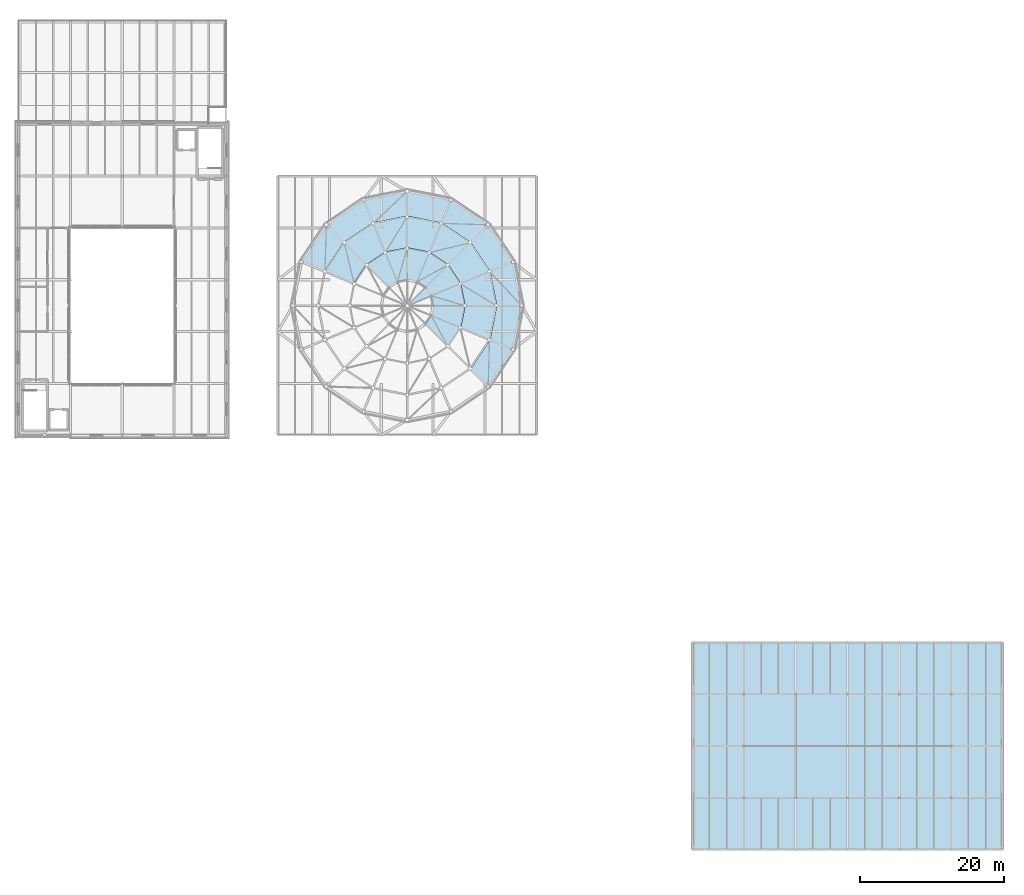
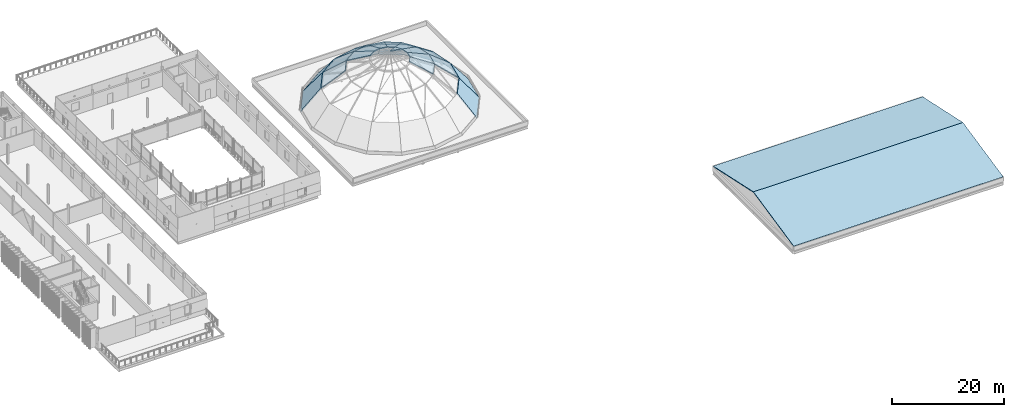
# One storey, part 50 of 66: 28 roofs.
"""IFC4 building model written with IfcOpenShell, lengths in metres."""

from ifc_helpers import new_model, si_unit, direction, frame, origin, place, context, subcontext, project, spatial, polyline, outline, extrude, material, layer, layer_set, type_object, element, save


model = new_model("IFC4")

# Units and contexts
model_context = context("Model", 3, precision=1e-05, world=origin(), true_north=direction((0.0, 1.0)))
body_context = subcontext(model_context, "Body", "Model", "MODEL_VIEW")
ifc_project = project(units=[si_unit("LENGTHUNIT", "METRE"), si_unit("AREAUNIT", "SQUARE_METRE"), si_unit("VOLUMEUNIT", "CUBIC_METRE"), si_unit("PLANEANGLEUNIT", "RADIAN"), si_unit("MASSUNIT", "GRAM", prefix="KILO")], contexts=[model_context])

# Site, building, storey
site_placement = place(None, origin())
site = spatial("IfcSite", under=ifc_project, at=site_placement, CompositionType="ELEMENT")
building_placement = place(site_placement, origin())
building = spatial("IfcBuilding", under=site, at=building_placement, Name="Narikvali Park Central Library", CompositionType="ELEMENT")
storey_placement = place(building_placement, frame((0.0, 0.0, 18.60009765625)))
storey = spatial("IfcBuildingStorey", under=building, at=storey_placement, Name="L04", CompositionType="ELEMENT", Elevation=18.60009765625)

# Roofs
ifc_material = material(Name="Standing-seam zinc over Steel S355 deck", Category="steel")
ifc_layer_1 = layer(ifc_material, 0.179931640625, Name="Standing-seam zinc over Steel S355 deck")
ifc_layer_set_1 = layer_set([ifc_layer_1], Name="Standing-seam zinc over Steel S355 deck")
roof_type_1 = type_object("IfcRoofType", Name="Standing Seam Zinc Dome Sector Roof 180", PredefinedType="DOME_ROOF", material=ifc_layer_set_1)
roof_1_placement = place(storey_placement, frame((98.919921875, 75.60009765625, -0.18017578125), z_axis=(0.780669472436, 0.155290436165, 0.605342923674), x_axis=(-0.195095738793, 0.980784202922, -1.848832e-06)))
element("IfcRoof", 1, at=roof_1_placement, inside=storey, type_object=roof_type_1, Name="Main Reading Room Dome Roof Sector T1-01", PredefinedType="DOME_ROOF", context=body_context, shape_type="SweptSolid", body=[
    extrude(outline(polyline([(0.0, 0.0), (6.289557040626091, 2.220446049250313e-16), (5.575514381115633, 5.92988669685124), (0.7140245304618272, 5.929860795688027), (0.0, 0.0)])), origin(), (0.0, 0.0, -1.0), 0.179931640625),
])
roof_2_placement = place(storey_placement, frame((97.69287109375, 81.768798828125, -0.18017578125), z_axis=(0.661828920917, 0.442206764191, 0.605339290928), x_axis=(-0.555562441799, 0.831474818157, 5.786036e-06)))
element("IfcRoof", 2, at=roof_2_placement, inside=storey, type_object=roof_type_1, Name="Main Reading Room Dome Roof Sector T1-02", PredefinedType="DOME_ROOF", context=body_context, shape_type="SweptSolid", body=[
    extrude(outline(polyline([(0.0, 0.0), (6.289742995411505, -2.220446049250313e-16), (5.57573925323401, 5.929812633197297), (0.7139845333457434, 5.929893695505155), (0.0, 0.0)])), origin(), (0.0, 0.0, -1.0), 0.179931640625),
])
roof_3_placement = place(storey_placement, frame((94.198486328125, 86.99853515625, -0.18017578125), z_axis=(0.442211752531, 0.661818960341, 0.605346536833), x_axis=(-0.831466146439, 0.55557541992, -1.0316431e-05)))
element("IfcRoof", 3, at=roof_3_placement, inside=storey, type_object=roof_type_1, Name="Main Reading Room Dome Roof Sector T1-03", PredefinedType="DOME_ROOF", context=body_context, shape_type="SweptSolid", body=[
    extrude(outline(polyline([(0.0, 0.0), (6.289540000498164, 0.0), (5.575681049037629, 5.929966484449332), (0.7139263314317759, 5.929821952983351), (0.0, 0.0)])), origin(), (0.0, 0.0, -1.0), 0.179931640625),
])
roof_4_placement = place(storey_placement, frame((88.968994140625, 90.492919921875, -0.18017578125), z_axis=(0.155286724123, 0.780668237823, 0.605345468113), x_axis=(-0.980785272241, 0.19509036302, 3.439489e-06)))
element("IfcRoof", 4, at=roof_4_placement, inside=storey, type_object=roof_type_1, Name="Main Reading Room Dome Roof Sector T1-04", PredefinedType="DOME_ROOF", context=body_context, shape_type="SweptSolid", body=[
    extrude(outline(polyline([(0.0, 0.0), (6.289796490118323, 1.1102230246251565e-16), (5.5757991423673685, 5.929864068664262), (0.7143092919767804, 5.9299122552429315), (0.0, 0.0)])), origin(), (0.0, 0.0, -1.0), 0.179931640625),
])
roof_5_placement = place(storey_placement, frame((82.800048828125, 91.719970703125, -0.18017578125), z_axis=(-0.155283767267, 0.780670798988, 0.605342923665), x_axis=(-0.980785800161, -0.195087708993, -1.381496e-06)))
element("IfcRoof", 5, at=roof_5_placement, inside=storey, type_object=roof_type_1, Name="Main Reading Room Dome Roof Sector T1-05", PredefinedType="DOME_ROOF", context=body_context, shape_type="SweptSolid", body=[
    extrude(outline(polyline([(0.0, 0.0), (6.2897964902034715, -1.1102230246251565e-16), (5.575726647810825, 5.929883423596316), (0.7139973479115861, 5.929864068735238), (0.0, 0.0)])), origin(), (0.0, 0.0, -1.0), 0.179931640625),
])
roof_6_placement = place(storey_placement, frame((76.631103515625, 90.492919921875, -0.18017578125), z_axis=(-0.442211752531, 0.661818960341, 0.605346536833), x_axis=(-0.831470536919, -0.555568849232, -7.4523e-08)))
element("IfcRoof", 6, at=roof_6_placement, inside=storey, type_object=roof_type_1, Name="Main Reading Room Dome Roof Sector T1-06", PredefinedType="DOME_ROOF", context=body_context, shape_type="SweptSolid", body=[
    extrude(outline(polyline([(0.0, 0.0), (6.289742995698779, 0.0), (5.575536257229505, 5.929894739797871), (0.71398453388768, 5.92989369574461), (0.0, 0.0)])), origin(), (0.0, 0.0, -1.0), 0.179931640625),
])
roof_7_placement = place(storey_placement, frame((71.4013671875, 86.99853515625, -0.18017578125), z_axis=(-0.661815206105, 0.442197600519, 0.605360979138), x_axis=(-0.555562442061, -0.831474817982, -5.786123e-06)))
element("IfcRoof", 7, at=roof_7_placement, inside=storey, type_object=roof_type_1, Name="Main Reading Room Dome Roof Sector T1-07", PredefinedType="DOME_ROOF", context=body_context, shape_type="SweptSolid", body=[
    extrude(outline(polyline([(0.0, 0.0), (6.289742995411517, 6.661338147750939e-16), (5.575622825159554, 5.930016580461905), (0.7138681052713204, 5.929935515249732), (0.0, 0.0)])), origin(), (0.0, 0.0, -1.0), 0.179931640625),
])
roof_8_placement = place(storey_placement, frame((94.198486328125, 64.201416015625, -0.18017578125), z_axis=(0.661828920917, -0.442206764191, 0.605339290928), x_axis=(0.555562441799, 0.831474818157, -5.786036e-06)))
element("IfcRoof", 8, at=roof_8_placement, inside=storey, type_object=roof_type_1, Name="Main Reading Room Dome Roof Sector T1-15", PredefinedType="DOME_ROOF", context=body_context, shape_type="SweptSolid", body=[
    extrude(outline(polyline([(0.0, 0.0), (6.289742995411505, 2.220446049250313e-16), (5.575758462065762, 5.929893695505155), (0.7140037421774946, 5.929812633197297), (0.0, 0.0)])), origin(), (0.0, 0.0, -1.0), 0.179931640625),
])
roof_9_placement = place(storey_placement, frame((97.69287109375, 69.43115234375, -0.18017578125), z_axis=(0.780670798988, -0.155283767267, 0.605342923665), x_axis=(0.195087708993, 0.980785800161, 1.381496e-06)))
element("IfcRoof", 9, at=roof_9_placement, inside=storey, type_object=roof_type_1, Name="Main Reading Room Dome Roof Sector T1-16", PredefinedType="DOME_ROOF", context=body_context, shape_type="SweptSolid", body=[
    extrude(outline(polyline([(0.0, 0.0), (6.2897964902034715, 1.1102230246251565e-16), (5.575799142291886, 5.929864068735238), (0.714069842392646, 5.929883423596316), (0.0, 0.0)])), origin(), (0.0, 0.0, -1.0), 0.179931640625),
])
roof_10_placement = place(storey_placement, frame((95.260009765625, 75.60009765625, 4.539794921875), z_axis=(0.611379050009, 0.121618106581, 0.781936502129), x_axis=(-0.195101802841, 0.980782996655, 2.35129e-07)))
element("IfcRoof", 10, at=roof_10_placement, inside=storey, type_object=roof_type_1, Name="Main Reading Room Dome Roof Sector T2-01", PredefinedType="DOME_ROOF", context=body_context, shape_type="SweptSolid", body=[
    extrude(outline(polyline([(0.0, 0.0), (4.8614898507605355, 0.0), (4.003088484202586, 5.518793561002905), (0.8584296884785259, 5.518796580904293), (0.0, 0.0)])), origin(), (0.0, 0.0, -1.0), 0.179931640625),
])
roof_11_placement = place(storey_placement, frame((94.3115234375, 80.3681640625, 4.539794921875), z_axis=(0.518300656336, 0.346306720395, 0.781943786375), x_axis=(-0.555550720026, 0.831482650105, -7.323807e-06)))
element("IfcRoof", 11, at=roof_11_placement, inside=storey, type_object=roof_type_1, Name="Main Reading Room Dome Roof Sector T2-02", PredefinedType="DOME_ROOF", context=body_context, shape_type="SweptSolid", body=[
    extrude(outline(polyline([(0.0, 0.0), (4.8617547207225265, 0.0), (4.003214750829156, 5.51892300342935), (0.8581739382079733, 5.5188289305598985), (0.0, 0.0)])), origin(), (0.0, 0.0, -1.0), 0.179931640625),
])
roof_12_placement = place(storey_placement, frame((91.610595703125, 84.41064453125, 4.539794921875), z_axis=(0.346300706985, 0.518301096552, 0.781946157772), x_axis=(-0.831484466349, 0.555548001716, 3.222815e-06)))
element("IfcRoof", 12, at=roof_12_placement, inside=storey, type_object=roof_type_1, Name="Main Reading Room Dome Roof Sector T2-03", PredefinedType="DOME_ROOF", context=body_context, shape_type="SweptSolid", body=[
    extrude(outline(polyline([(0.0, 0.0), (4.861754720894481, -2.220446049250313e-16), (4.003242151572374, 5.518881608659724), (0.8585399702069147, 5.518923003532054), (0.0, 0.0)])), origin(), (0.0, 0.0, -1.0), 0.179931640625),
])
roof_13_placement = place(storey_placement, frame((87.568115234375, 87.111572265625, 4.539794921875), z_axis=(0.12161075379, 0.611361094856, 0.781951684095), x_axis=(-0.980783447643, 0.195099535673, -3.134928e-06)))
element("IfcRoof", 13, at=roof_13_placement, inside=storey, type_object=roof_type_1, Name="Main Reading Room Dome Roof Sector T2-04", PredefinedType="DOME_ROOF", context=body_context, shape_type="SweptSolid", body=[
    extrude(outline(polyline([(0.0, 0.0), (4.861489850721687, 0.0), (4.003012529993033, 5.518983816818092), (0.8581142852012771, 5.518943550684472), (0.0, 0.0)])), origin(), (0.0, 0.0, -1.0), 0.179931640625),
])
roof_14_placement = place(storey_placement, frame((82.800048828125, 88.06005859375, 4.539794921875), z_axis=(-0.121606706513, 0.61135975539, 0.78195336077), x_axis=(-0.980785067342, -0.195091393142, 1.259095e-06)))
element("IfcRoof", 14, at=roof_14_placement, inside=storey, type_object=roof_type_1, Name="Main Reading Room Dome Roof Sector T2-05", PredefinedType="DOME_ROOF", context=body_context, shape_type="SweptSolid", body=[
    extrude(outline(polyline([(0.0, 0.0), (4.861729299952654, -1.1102230246251565e-16), (4.003333284244414, 5.518974220768605), (0.8584350391858165, 5.518990393570375), (0.0, 0.0)])), origin(), (0.0, 0.0, -1.0), 0.179931640625),
])
roof_15_placement = place(storey_placement, frame((78.03173828125, 87.111572265625, 4.539794921875), z_axis=(-0.346300706985, 0.518301096552, 0.781946157772), x_axis=(-0.831474989417, -0.555562185418, 1.0375687e-05)))
element("IfcRoof", 15, at=roof_15_placement, inside=storey, type_object=roof_type_1, Name="Main Reading Room Dome Roof Sector T2-06", PredefinedType="DOME_ROOF", context=body_context, shape_type="SweptSolid", body=[
    extrude(outline(polyline([(0.0, 0.0), (4.861551722914017, -4.440892098500626e-16), (4.003335146896008, 5.51883567074296), (0.8584299685522133, 5.518968939420082), (0.0, 0.0)])), origin(), (0.0, 0.0, -1.0), 0.179931640625),
])
roof_16_placement = place(storey_placement, frame((73.989501953125, 84.41064453125, 4.539794921875), z_axis=(-0.51831689055, 0.346298559864, 0.781936639637), x_axis=(-0.555542528573, -0.831488123139, -5.034156e-06)))
element("IfcRoof", 16, at=roof_16_placement, inside=storey, type_object=roof_type_1, Name="Main Reading Room Dome Roof Sector T2-07", PredefinedType="DOME_ROOF", context=body_context, shape_type="SweptSolid", body=[
    extrude(outline(polyline([(0.0, 0.0), (4.861754720835019, 2.220446049250313e-16), (4.003580782421918, 5.518828930627102), (0.8586756014133152, 5.5187642699010135), (0.0, 0.0)])), origin(), (0.0, 0.0, -1.0), 0.179931640625),
])
roof_17_placement = place(storey_placement, frame((94.3115234375, 70.831787109375, 4.539794921875), z_axis=(0.611380497016, -0.121610832268, 0.781936502118), x_axis=(0.195091393075, 0.980785067355, -1.259111e-06)))
element("IfcRoof", 17, at=roof_17_placement, inside=storey, type_object=roof_type_1, Name="Main Reading Room Dome Roof Sector T2-16", PredefinedType="DOME_ROOF", context=body_context, shape_type="SweptSolid", body=[
    extrude(outline(polyline([(0.0, 0.0), (4.861729299952653, 0.0), (4.003341890741826, 5.518803157126682), (0.8584436456832268, 5.518786984673591), (0.0, 0.0)])), origin(), (0.0, 0.0, -1.0), 0.179931640625),
])
roof_18_placement = place(storey_placement, frame((90.860107421875, 75.60009765625, 7.97998046875), z_axis=(0.401028508437, 0.079762455032, 0.912586481484), x_axis=(-0.195096250617, 0.980784101058, 1.0312041e-05)))
element("IfcRoof", 18, at=roof_18_placement, inside=storey, type_object=roof_type_1, Name="Main Reading Room Dome Roof Sector T3-01", PredefinedType="DOME_ROOF", context=body_context, shape_type="SweptSolid", body=[
    extrude(outline(polyline([(0.0, 0.0), (3.144658795525086, 0.0), (2.2748434724250344, 4.793385704514716), (0.870189498922938, 4.793500438109868), (0.0, 0.0)])), origin(), (0.0, 0.0, -1.0), 0.179931640625),
])
roof_19_placement = place(storey_placement, frame((90.24658203125, 78.684326171875, 7.97998046875), z_axis=(0.339983130286, 0.227174735243, 0.912580468117), x_axis=(-0.55557791785, 0.831464477411, -6.60644e-07)))
element("IfcRoof", 19, at=roof_19_placement, inside=storey, type_object=roof_type_1, Name="Main Reading Room Dome Roof Sector T3-02", PredefinedType="DOME_ROOF", context=body_context, shape_type="SweptSolid", body=[
    extrude(outline(polyline([(0.0, 0.0), (3.145040814356938, 0.0), (2.2748104779369385, 4.79328941793837), (0.8703862540826038, 4.793282067488541), (0.0, 0.0)])), origin(), (0.0, 0.0, -1.0), 0.179931640625),
])
roof_20_placement = place(storey_placement, frame((88.499267578125, 81.29931640625, 7.97998046875), z_axis=(0.227174735243, 0.339983130286, 0.912580468117), x_axis=(-0.831474387371, 0.555563086491, 8.65304e-06)))
element("IfcRoof", 20, at=roof_20_placement, inside=storey, type_object=roof_type_1, Name="Main Reading Room Dome Roof Sector T3-03", PredefinedType="DOME_ROOF", context=body_context, shape_type="SweptSolid", body=[
    extrude(outline(polyline([(0.0, 0.0), (3.1447021815603824, 0.0), (2.2747482504086074, 4.793237605663529), (0.8699853947704626, 4.793333880979688), (0.0, 0.0)])), origin(), (0.0, 0.0, -1.0), 0.179931640625),
])
roof_21_placement = place(storey_placement, frame((85.884521484375, 83.04638671875, 7.97998046875), z_axis=(0.079761531502, 0.401045807777, 0.912578959957), x_axis=(-0.980786903353, 0.195082162533, -8.566894e-06)))
element("IfcRoof", 21, at=roof_21_placement, inside=storey, type_object=roof_type_1, Name="Main Reading Room Dome Roof Sector T3-04", PredefinedType="DOME_ROOF", context=body_context, shape_type="SweptSolid", body=[
    extrude(outline(polyline([(0.0, 0.0), (3.1448982449713516, 0.0), (2.274822629693296, 4.793293947107633), (0.8701686546002879, 4.793198629228929), (0.0, 0.0)])), origin(), (0.0, 0.0, -1.0), 0.179931640625),
])
roof_22_placement = place(storey_placement, frame((82.800048828125, 83.659912109375, 7.97998046875), z_axis=(-0.079761531502, 0.401045807777, 0.912578959957), x_axis=(-0.980786903353, -0.195082162533, 8.566894e-06)))
element("IfcRoof", 22, at=roof_22_placement, inside=storey, type_object=roof_type_1, Name="Main Reading Room Dome Roof Sector T3-05", PredefinedType="DOME_ROOF", context=body_context, shape_type="SweptSolid", body=[
    extrude(outline(polyline([(0.0, 0.0), (3.1448982449713516, 0.0), (2.274729590371064, 4.793198629228929), (0.8700756152780554, 4.793293947107633), (0.0, 0.0)])), origin(), (0.0, 0.0, -1.0), 0.179931640625),
])
roof_23_placement = place(storey_placement, frame((79.715576171875, 83.04638671875, 7.97998046875), z_axis=(-0.227161666198, 0.339985513159, 0.912582833639), x_axis=(-0.831497110422, -0.555529076804, -1.3621547e-05)))
element("IfcRoof", 23, at=roof_23_placement, inside=storey, type_object=roof_type_1, Name="Main Reading Room Dome Roof Sector T3-06", PredefinedType="DOME_ROOF", context=body_context, shape_type="SweptSolid", body=[
    extrude(outline(polyline([(0.0, 0.0), (3.144905181478754, -2.220446049250313e-16), (2.2745281277560796, 4.793423406157448), (0.8697652774630807, 4.793271841600326), (0.0, 0.0)])), origin(), (0.0, 0.0, -1.0), 0.179931640625),
])
roof_24_placement = place(storey_placement, frame((88.499267578125, 69.900634765625, 7.97998046875), z_axis=(0.339985513159, -0.227161666198, 0.912582833639), x_axis=(0.555573773356, 0.831467246648, -1.0464031e-05)))
element("IfcRoof", 24, at=roof_24_placement, inside=storey, type_object=roof_type_1, Name="Main Reading Room Dome Roof Sector T3-15", PredefinedType="DOME_ROOF", context=body_context, shape_type="SweptSolid", body=[
    extrude(outline(polyline([(0.0, 0.0), (3.1450408141510104, 0.0), (2.274857554720617, 4.793405849294796), (0.8702303360651246, 4.793289417867682), (0.0, 0.0)])), origin(), (0.0, 0.0, -1.0), 0.179931640625),
])
roof_25_placement = place(storey_placement, frame((90.24658203125, 72.515625, 7.97998046875), z_axis=(0.401027525376, -0.079757895428, 0.912587311991), x_axis=(0.195082162876, 0.980786903284, -8.566582e-06)))
element("IfcRoof", 25, at=roof_25_placement, inside=storey, type_object=roof_type_1, Name="Main Reading Room Dome Roof Sector T3-16", PredefinedType="DOME_ROOF", context=body_context, shape_type="SweptSolid", body=[
    extrude(outline(polyline([(0.0, 0.0), (3.1448982449713636, 0.0), (2.2747750012930483, 4.793512465342832), (0.8701210262000711, 4.793417146591768), (0.0, 0.0)])), origin(), (0.0, 0.0, -1.0), 0.179931640625),
])
roof_26_placement = place(storey_placement, frame((86.1259765625, 76.977783203125, 9.93994140625), z_axis=(0.353747628791, 0.236374121183, 0.90498060198), x_axis=(-0.555582440288, 0.831461455537, 0.0)))
element("IfcRoof", 26, at=roof_26_placement, inside=storey, type_object=roof_type_1, Name="Dome Glazed Lantern Sector 02", PredefinedType="DOME_ROOF", context=body_context, shape_type="SweptSolid", body=[
    extrude(outline(polyline([(0.0, 0.0), (1.4044242238754154, -1.1102230246251565e-16), (0.7023346168078315, 3.901518557848501), (0.0, 0.0)])), origin(), (0.0, 0.0, -1.0), 0.219970703125),
])
ifc_layer_2 = layer(ifc_material, 0.159912109375, Name="Standing-seam zinc over Steel S355 deck")
ifc_layer_set_2 = layer_set([ifc_layer_2], Name="Standing-seam zinc over Steel S355 deck")
roof_type_2 = type_object("IfcRoofType", Name="Standing Seam Zinc Hipped Roof 160", PredefinedType="HIP_ROOF", material=ifc_layer_set_2)
roof_27_placement = place(storey_placement, frame((122.39990234375, 0.0, 0.93994140625), z_axis=(0.0, -0.211097444123, 0.977465021924), x_axis=(1.0, 0.0, 0.0)))
element("IfcRoof", 27, at=roof_27_placement, inside=storey, type_object=roof_type_2, Name="V6 Standing Seam Zinc Roof South Slope", PredefinedType="HIP_ROOF", context=body_context, shape_type="SweptSolid", body=[
    extrude(outline(polyline([(0.0, 0.0), (43.2001953125, 0.0), (43.2001953125, 14.731885050379796), (0.0, 14.731885050379796), (0.0, 0.0)])), origin(), (0.0, 0.0, -1.0), 0.159912109375),
])
roof_28_placement = place(storey_placement, frame((122.39990234375, 14.39990234375, 4.0498046875), z_axis=(0.0, 0.211094024651, 0.977465760401), x_axis=(1.0, 0.0, 0.0)))
element("IfcRoof", 28, at=roof_28_placement, inside=storey, type_object=roof_type_2, Name="V6 Standing Seam Zinc Roof North Slope", PredefinedType="HIP_ROOF", context=body_context, shape_type="SweptSolid", body=[
    extrude(outline(polyline([(0.0, 0.0), (43.2001953125, 0.0), (43.2001953125, 14.732123689391312), (0.0, 14.732123689391312), (0.0, 0.0)])), origin(), (0.0, 0.0, -1.0), 0.159912109375),
])

save(model, "model.ifc")
